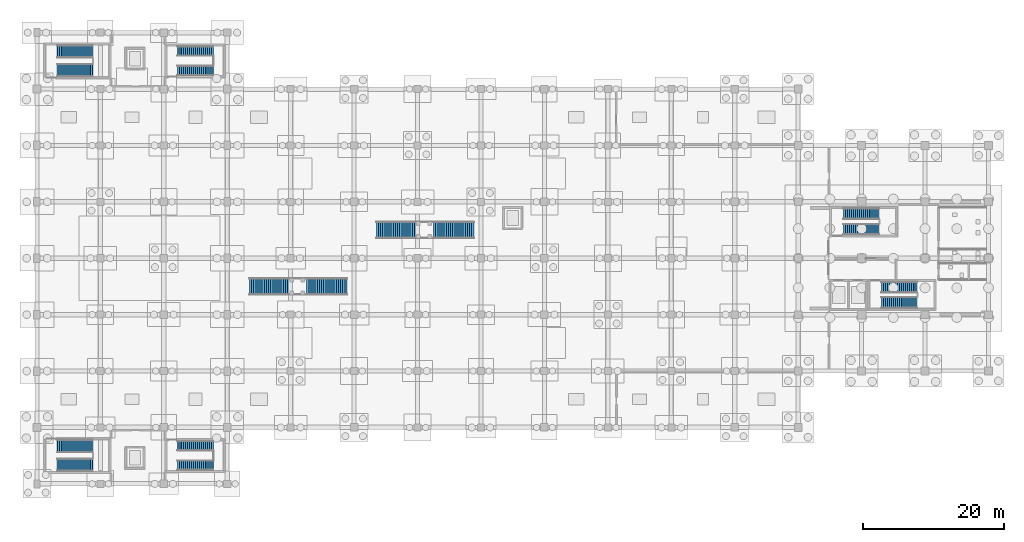
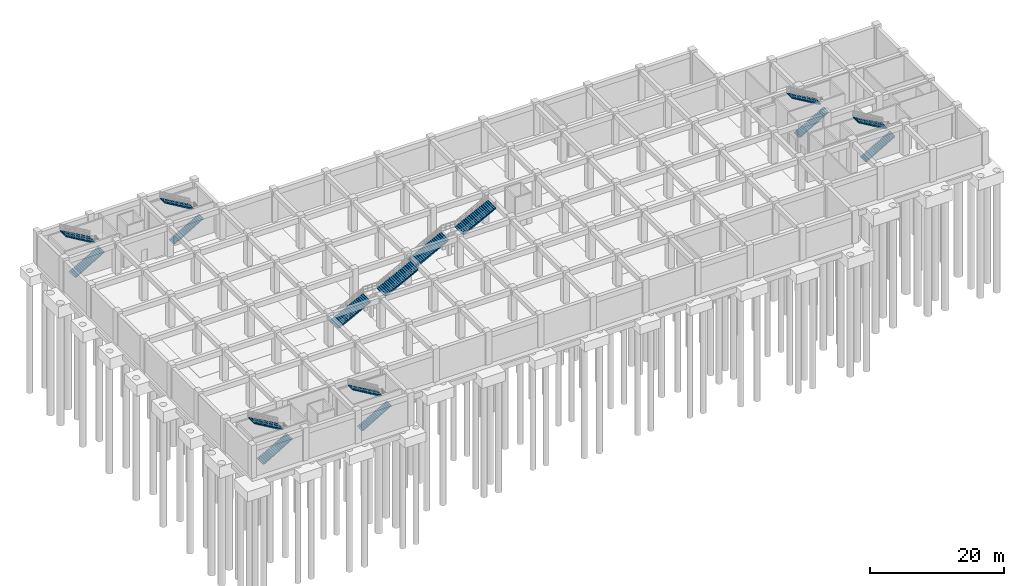
# One storey, part 14 of 18: 16 stair flights, 8 elements without a shape of their own.
"""IFC4 building model written with IfcOpenShell, lengths in metres."""

from ifc_helpers import new_model, si_unit, derived_unit, direction, frame, origin, place, context, subcontext, project, spatial, polyline, outline, extrude, material, type_object, element, aggregate, save


model = new_model("IFC4")

# Units and contexts
model_context = context("Model", 3, precision=1e-05, world=origin(), true_north=direction((0.0, 1.0)))
body_context = subcontext(model_context, "Body", "Model", "MODEL_VIEW")
ifc_project = project(units=[si_unit("LENGTHUNIT", "METRE"), si_unit("AREAUNIT", "SQUARE_METRE"), si_unit("VOLUMEUNIT", "CUBIC_METRE"), si_unit("PLANEANGLEUNIT", "RADIAN"), si_unit("MASSUNIT", "GRAM", prefix="KILO"), derived_unit("THERMALTRANSMITTANCEUNIT", [(si_unit("MASSUNIT", "GRAM", prefix="KILO"), 1), (si_unit("TIMEUNIT", "SECOND"), -3), (si_unit("THERMODYNAMICTEMPERATUREUNIT", "KELVIN"), -1)])], contexts=[model_context])

# Site, building, storey
site_placement = place(None, origin())
site = spatial("IfcSite", under=ifc_project, at=site_placement, CompositionType="ELEMENT")
building_placement = place(site_placement, origin())
building = spatial("IfcBuilding", under=site, at=building_placement, Name="Zhenchuan Archway Interchange", CompositionType="ELEMENT")
storey_placement = place(building_placement, frame((0.0, 0.0, -12.0)))
storey = spatial("IfcBuildingStorey", under=building, at=storey_placement, Name="B2", CompositionType="ELEMENT", Elevation=-12.0)

# Stair, stair flights
ifc_material = material(Name="Concrete C35", Category="concrete")
stair_type_1 = type_object("IfcStairType", Name="STR_HALF_1400", PredefinedType="HALF_TURN_STAIR", material=ifc_material)
stair_1_placement = place(storey_placement, origin())
stair_1 = element("IfcStair", 1, at=stair_1_placement, inside=storey, type_object=stair_type_1, Name="Stair ST-M3 (B2)", PredefinedType="HALF_TURN_STAIR")
stair_flight_type_1 = type_object("IfcStairFlightType", Name="SFL_1400_B", PredefinedType="STRAIGHT", material=ifc_material)
stair_flight_1_placement = place(storey_placement, frame((55.96435546875, 26.614990234375, 0.0), z_axis=(0.0, 0.0, 1.0), x_axis=(1.0, 0.0, 0.0)))
stair_flight_1 = element("IfcStairFlight", 2, at=stair_flight_1_placement, type_object=stair_flight_type_1, Name="Stair ST-M3 lower flight (B2)", NumberOfRisers=19, NumberOfTreads=18, PredefinedType="STRAIGHT", RiserHeight=0.157895, TreadLength=0.28, context=body_context, shape_type="SweptSolid", body=[
    extrude(outline(polyline([(0.0, 0.0), (0.0, 0.157958984375), (0.280029296875, 0.157958984375), (0.280029296875, 0.315673828125), (0.56005859375, 0.315673828125), (0.56005859375, 0.4736328125), (0.840087890625, 0.4736328125), (0.840087890625, 0.631591796875), (1.1201171875, 0.631591796875), (1.1201171875, 0.78955078125), (1.39990234375, 0.78955078125), (1.39990234375, 0.947265625), (1.679931640625, 0.947265625), (1.679931640625, 1.105224609375), (1.9599609375, 1.105224609375), (1.9599609375, 1.26318359375), (2.239990234375, 1.26318359375), (2.239990234375, 1.421142578125), (2.52001953125, 1.421142578125), (2.52001953125, 1.578857421875), (2.800048828125, 1.578857421875), (2.800048828125, 1.73681640625), (3.080078125, 1.73681640625), (3.080078125, 1.894775390625), (3.360107421875, 1.894775390625), (3.360107421875, 2.052734375), (3.639892578125, 2.052734375), (3.639892578125, 2.21044921875), (3.919921875, 2.21044921875), (3.919921875, 2.368408203125), (4.199951171875, 2.368408203125), (4.199951171875, 2.5263671875), (4.47998046875, 2.5263671875), (4.47998046875, 2.684326171875), (4.760009765625, 2.684326171875), (4.760009765625, 2.842041015625), (5.0400390625, 2.842041015625), (5.0400390625, 3.0), (5.061279296875, 3.0), (5.061279296875, 2.79345703125), (0.3662109375, 0.0), (0.0, 0.0)])), frame((0.0, 0.699951171875, 0.0), z_axis=(0.0, -1.0, 0.0), x_axis=(1.0, 0.0, 0.0)), (0.0, 0.0, 1.0), 1.39990234375),
])
stair_flight_2_placement = place(storey_placement, frame((61.025634765625, 29.385009765625, 3.0), z_axis=(0.0, 0.0, 1.0), x_axis=(-1.0, 0.0, 0.0)))
stair_flight_2 = element("IfcStairFlight", 3, at=stair_flight_2_placement, type_object=stair_flight_type_1, Name="Stair ST-M3 upper flight (B2)", NumberOfRisers=19, NumberOfTreads=18, PredefinedType="STRAIGHT", RiserHeight=0.157895, TreadLength=0.28, context=body_context, shape_type="SweptSolid", body=[
    extrude(outline(polyline([(0.0, 0.0), (0.0, 0.157958984375), (0.280029296875, 0.157958984375), (0.280029296875, 0.315673828125), (0.56005859375, 0.315673828125), (0.56005859375, 0.4736328125), (0.840087890625, 0.4736328125), (0.840087890625, 0.631591796875), (1.1201171875, 0.631591796875), (1.1201171875, 0.78955078125), (1.39990234375, 0.78955078125), (1.39990234375, 0.947265625), (1.679931640625, 0.947265625), (1.679931640625, 1.105224609375), (1.9599609375, 1.105224609375), (1.9599609375, 1.26318359375), (2.239990234375, 1.26318359375), (2.239990234375, 1.421142578125), (2.52001953125, 1.421142578125), (2.52001953125, 1.578857421875), (2.800048828125, 1.578857421875), (2.800048828125, 1.73681640625), (3.080078125, 1.73681640625), (3.080078125, 1.894775390625), (3.360107421875, 1.894775390625), (3.360107421875, 2.052734375), (3.639892578125, 2.052734375), (3.639892578125, 2.21044921875), (3.919921875, 2.21044921875), (3.919921875, 2.368408203125), (4.199951171875, 2.368408203125), (4.199951171875, 2.5263671875), (4.47998046875, 2.5263671875), (4.47998046875, 2.684326171875), (4.760009765625, 2.684326171875), (4.760009765625, 2.842041015625), (5.0400390625, 2.842041015625), (5.0400390625, 3.0), (5.061279296875, 3.0), (5.061279296875, 2.79345703125), (0.3662109375, 0.0), (0.0, 0.0)])), frame((0.0, 0.699951171875, 0.0), z_axis=(0.0, -1.0, 0.0), x_axis=(1.0, 0.0, 0.0)), (0.0, 0.0, 1.0), 1.39990234375),
])
aggregate(stair_1, [stair_flight_1, stair_flight_2])

stair_2_placement = place(storey_placement, origin())
stair_2 = element("IfcStair", 4, at=stair_2_placement, inside=storey, type_object=stair_type_1, Name="Stair ST-M4 (B2)", PredefinedType="HALF_TURN_STAIR")
stair_flight_3_placement = place(storey_placement, frame((55.96435546875, 82.614990234375, 0.0), z_axis=(0.0, 0.0, 1.0), x_axis=(1.0, 0.0, 0.0)))
stair_flight_3 = element("IfcStairFlight", 5, at=stair_flight_3_placement, type_object=stair_flight_type_1, Name="Stair ST-M4 lower flight (B2)", NumberOfRisers=19, NumberOfTreads=18, PredefinedType="STRAIGHT", RiserHeight=0.157895, TreadLength=0.28, context=body_context, shape_type="SweptSolid", body=[
    extrude(outline(polyline([(0.0, 0.0), (0.0, 0.157958984375), (0.280029296875, 0.157958984375), (0.280029296875, 0.315673828125), (0.56005859375, 0.315673828125), (0.56005859375, 0.4736328125), (0.840087890625, 0.4736328125), (0.840087890625, 0.631591796875), (1.1201171875, 0.631591796875), (1.1201171875, 0.78955078125), (1.39990234375, 0.78955078125), (1.39990234375, 0.947265625), (1.679931640625, 0.947265625), (1.679931640625, 1.105224609375), (1.9599609375, 1.105224609375), (1.9599609375, 1.26318359375), (2.239990234375, 1.26318359375), (2.239990234375, 1.421142578125), (2.52001953125, 1.421142578125), (2.52001953125, 1.578857421875), (2.800048828125, 1.578857421875), (2.800048828125, 1.73681640625), (3.080078125, 1.73681640625), (3.080078125, 1.894775390625), (3.360107421875, 1.894775390625), (3.360107421875, 2.052734375), (3.639892578125, 2.052734375), (3.639892578125, 2.21044921875), (3.919921875, 2.21044921875), (3.919921875, 2.368408203125), (4.199951171875, 2.368408203125), (4.199951171875, 2.5263671875), (4.47998046875, 2.5263671875), (4.47998046875, 2.684326171875), (4.760009765625, 2.684326171875), (4.760009765625, 2.842041015625), (5.0400390625, 2.842041015625), (5.0400390625, 3.0), (5.061279296875, 3.0), (5.061279296875, 2.79345703125), (0.3662109375, 0.0), (0.0, 0.0)])), frame((0.0, 0.699951171875, 0.0), z_axis=(0.0, -1.0, 0.0), x_axis=(1.0, 0.0, 0.0)), (0.0, 0.0, 1.0), 1.39990234375),
])
stair_flight_4_placement = place(storey_placement, frame((61.025634765625, 85.385009765625, 3.0), z_axis=(0.0, 0.0, 1.0), x_axis=(-1.0, 0.0, 0.0)))
stair_flight_4 = element("IfcStairFlight", 6, at=stair_flight_4_placement, type_object=stair_flight_type_1, Name="Stair ST-M4 upper flight (B2)", NumberOfRisers=19, NumberOfTreads=18, PredefinedType="STRAIGHT", RiserHeight=0.157895, TreadLength=0.28, context=body_context, shape_type="SweptSolid", body=[
    extrude(outline(polyline([(0.0, 0.0), (0.0, 0.157958984375), (0.280029296875, 0.157958984375), (0.280029296875, 0.315673828125), (0.56005859375, 0.315673828125), (0.56005859375, 0.4736328125), (0.840087890625, 0.4736328125), (0.840087890625, 0.631591796875), (1.1201171875, 0.631591796875), (1.1201171875, 0.78955078125), (1.39990234375, 0.78955078125), (1.39990234375, 0.947265625), (1.679931640625, 0.947265625), (1.679931640625, 1.105224609375), (1.9599609375, 1.105224609375), (1.9599609375, 1.26318359375), (2.239990234375, 1.26318359375), (2.239990234375, 1.421142578125), (2.52001953125, 1.421142578125), (2.52001953125, 1.578857421875), (2.800048828125, 1.578857421875), (2.800048828125, 1.73681640625), (3.080078125, 1.73681640625), (3.080078125, 1.894775390625), (3.360107421875, 1.894775390625), (3.360107421875, 2.052734375), (3.639892578125, 2.052734375), (3.639892578125, 2.21044921875), (3.919921875, 2.21044921875), (3.919921875, 2.368408203125), (4.199951171875, 2.368408203125), (4.199951171875, 2.5263671875), (4.47998046875, 2.5263671875), (4.47998046875, 2.684326171875), (4.760009765625, 2.684326171875), (4.760009765625, 2.842041015625), (5.0400390625, 2.842041015625), (5.0400390625, 3.0), (5.061279296875, 3.0), (5.061279296875, 2.79345703125), (0.3662109375, 0.0), (0.0, 0.0)])), frame((0.0, 0.699951171875, 0.0), z_axis=(0.0, -1.0, 0.0), x_axis=(1.0, 0.0, 0.0)), (0.0, 0.0, 1.0), 1.39990234375),
])
aggregate(stair_2, [stair_flight_3, stair_flight_4])

stair_type_2 = type_object("IfcStairType", Name="STR_HALF_1550", PredefinedType="HALF_TURN_STAIR", material=ifc_material)
stair_3_placement = place(storey_placement, origin())
stair_3 = element("IfcStair", 7, at=stair_3_placement, inside=storey, type_object=stair_type_2, Name="Stair ST-O1 (B2)", PredefinedType="HALF_TURN_STAIR")
stair_flight_type_2 = type_object("IfcStairFlightType", Name="SFL_1550_B", PredefinedType="STRAIGHT", material=ifc_material)
stair_flight_5_placement = place(storey_placement, frame((150.42431640625, 60.090087890625, 0.0), z_axis=(0.0, 0.0, 1.0), x_axis=(1.0, 0.0, 0.0)))
stair_flight_5 = element("IfcStairFlight", 8, at=stair_flight_5_placement, type_object=stair_flight_type_2, Name="Stair ST-O1 lower flight (B2)", NumberOfRisers=19, NumberOfTreads=18, PredefinedType="STRAIGHT", RiserHeight=0.157895, TreadLength=0.28, context=body_context, shape_type="SweptSolid", body=[
    extrude(outline(polyline([(0.0, 0.0), (0.0, 0.157958984375), (0.280029296875, 0.157958984375), (0.280029296875, 0.315673828125), (0.56005859375, 0.315673828125), (0.56005859375, 0.4736328125), (0.840087890625, 0.4736328125), (0.840087890625, 0.631591796875), (1.1201171875, 0.631591796875), (1.1201171875, 0.78955078125), (1.39990234375, 0.78955078125), (1.39990234375, 0.947265625), (1.679931640625, 0.947265625), (1.679931640625, 1.105224609375), (1.9599609375, 1.105224609375), (1.9599609375, 1.26318359375), (2.239990234375, 1.26318359375), (2.239990234375, 1.421142578125), (2.52001953125, 1.421142578125), (2.52001953125, 1.578857421875), (2.800048828125, 1.578857421875), (2.800048828125, 1.73681640625), (3.080078125, 1.73681640625), (3.080078125, 1.894775390625), (3.360107421875, 1.894775390625), (3.360107421875, 2.052734375), (3.639892578125, 2.052734375), (3.639892578125, 2.21044921875), (3.919921875, 2.21044921875), (3.919921875, 2.368408203125), (4.199951171875, 2.368408203125), (4.199951171875, 2.5263671875), (4.47998046875, 2.5263671875), (4.47998046875, 2.684326171875), (4.760009765625, 2.684326171875), (4.760009765625, 2.842041015625), (5.0400390625, 2.842041015625), (5.0400390625, 3.0), (5.061279296875, 3.0), (5.061279296875, 2.79345703125), (0.3662109375, 0.0), (0.0, 0.0)])), frame((0.0, 0.77490234375, 0.0), z_axis=(0.0, -1.0, 0.0), x_axis=(1.0, 0.0, 0.0)), (0.0, 0.0, 1.0), 1.550048828125),
])
stair_flight_6_placement = place(storey_placement, frame((155.485595703125, 62.31005859375, 3.0), z_axis=(0.0, 0.0, 1.0), x_axis=(-1.0, 0.0, 0.0)))
stair_flight_6 = element("IfcStairFlight", 9, at=stair_flight_6_placement, type_object=stair_flight_type_2, Name="Stair ST-O1 upper flight (B2)", NumberOfRisers=19, NumberOfTreads=18, PredefinedType="STRAIGHT", RiserHeight=0.157895, TreadLength=0.28, context=body_context, shape_type="SweptSolid", body=[
    extrude(outline(polyline([(0.0, 0.0), (0.0, 0.157958984375), (0.280029296875, 0.157958984375), (0.280029296875, 0.315673828125), (0.56005859375, 0.315673828125), (0.56005859375, 0.4736328125), (0.840087890625, 0.4736328125), (0.840087890625, 0.631591796875), (1.1201171875, 0.631591796875), (1.1201171875, 0.78955078125), (1.39990234375, 0.78955078125), (1.39990234375, 0.947265625), (1.679931640625, 0.947265625), (1.679931640625, 1.105224609375), (1.9599609375, 1.105224609375), (1.9599609375, 1.26318359375), (2.239990234375, 1.26318359375), (2.239990234375, 1.421142578125), (2.52001953125, 1.421142578125), (2.52001953125, 1.578857421875), (2.800048828125, 1.578857421875), (2.800048828125, 1.73681640625), (3.080078125, 1.73681640625), (3.080078125, 1.894775390625), (3.360107421875, 1.894775390625), (3.360107421875, 2.052734375), (3.639892578125, 2.052734375), (3.639892578125, 2.21044921875), (3.919921875, 2.21044921875), (3.919921875, 2.368408203125), (4.199951171875, 2.368408203125), (4.199951171875, 2.5263671875), (4.47998046875, 2.5263671875), (4.47998046875, 2.684326171875), (4.760009765625, 2.684326171875), (4.760009765625, 2.842041015625), (5.0400390625, 2.842041015625), (5.0400390625, 3.0), (5.061279296875, 3.0), (5.061279296875, 2.79345703125), (0.3662109375, 0.0), (0.0, 0.0)])), frame((0.0, 0.77490234375, 0.0), z_axis=(0.0, -1.0, 0.0), x_axis=(1.0, 0.0, 0.0)), (0.0, 0.0, 1.0), 1.550048828125),
])
aggregate(stair_3, [stair_flight_5, stair_flight_6])

stair_type_3 = type_object("IfcStairType", Name="STR_HALF_1600", PredefinedType="HALF_TURN_STAIR", material=ifc_material)
stair_4_placement = place(storey_placement, origin())
stair_4 = element("IfcStair", 10, at=stair_4_placement, inside=storey, type_object=stair_type_3, Name="Stair ST-O2 (B2)", PredefinedType="HALF_TURN_STAIR")
stair_flight_type_3 = type_object("IfcStairFlightType", Name="SFL_1600_B", PredefinedType="STRAIGHT", material=ifc_material)
stair_flight_7_placement = place(storey_placement, frame((155.824462890625, 49.715087890625, 0.0), z_axis=(0.0, 0.0, 1.0), x_axis=(1.0, 0.0, 0.0)))
stair_flight_7 = element("IfcStairFlight", 11, at=stair_flight_7_placement, type_object=stair_flight_type_3, Name="Stair ST-O2 lower flight (B2)", NumberOfRisers=19, NumberOfTreads=18, PredefinedType="STRAIGHT", RiserHeight=0.157895, TreadLength=0.28, context=body_context, shape_type="SweptSolid", body=[
    extrude(outline(polyline([(0.0, 0.0), (0.0, 0.157958984375), (0.280029296875, 0.157958984375), (0.280029296875, 0.315673828125), (0.56005859375, 0.315673828125), (0.56005859375, 0.4736328125), (0.840087890625, 0.4736328125), (0.840087890625, 0.631591796875), (1.1201171875, 0.631591796875), (1.1201171875, 0.78955078125), (1.39990234375, 0.78955078125), (1.39990234375, 0.947265625), (1.679931640625, 0.947265625), (1.679931640625, 1.105224609375), (1.9599609375, 1.105224609375), (1.9599609375, 1.26318359375), (2.239990234375, 1.26318359375), (2.239990234375, 1.421142578125), (2.52001953125, 1.421142578125), (2.52001953125, 1.578857421875), (2.800048828125, 1.578857421875), (2.800048828125, 1.73681640625), (3.080078125, 1.73681640625), (3.080078125, 1.894775390625), (3.360107421875, 1.894775390625), (3.360107421875, 2.052734375), (3.639892578125, 2.052734375), (3.639892578125, 2.21044921875), (3.919921875, 2.21044921875), (3.919921875, 2.368408203125), (4.199951171875, 2.368408203125), (4.199951171875, 2.5263671875), (4.47998046875, 2.5263671875), (4.47998046875, 2.684326171875), (4.760009765625, 2.684326171875), (4.760009765625, 2.842041015625), (5.0400390625, 2.842041015625), (5.0400390625, 3.0), (5.061279296875, 3.0), (5.061279296875, 2.79345703125), (0.3662109375, 0.0), (0.0, 0.0)])), frame((0.0, 0.800048828125, 0.0), z_axis=(0.0, -1.0, 0.0), x_axis=(1.0, 0.0, 0.0)), (0.0, 0.0, 1.0), 1.60009765625),
])
stair_flight_8_placement = place(storey_placement, frame((160.885498046875, 51.885009765625, 3.0), z_axis=(0.0, 0.0, 1.0), x_axis=(-1.0, 0.0, 0.0)))
stair_flight_8 = element("IfcStairFlight", 12, at=stair_flight_8_placement, type_object=stair_flight_type_3, Name="Stair ST-O2 upper flight (B2)", NumberOfRisers=19, NumberOfTreads=18, PredefinedType="STRAIGHT", RiserHeight=0.157895, TreadLength=0.28, context=body_context, shape_type="SweptSolid", body=[
    extrude(outline(polyline([(0.0, 0.0), (0.0, 0.157958984375), (0.280029296875, 0.157958984375), (0.280029296875, 0.315673828125), (0.56005859375, 0.315673828125), (0.56005859375, 0.4736328125), (0.840087890625, 0.4736328125), (0.840087890625, 0.631591796875), (1.1201171875, 0.631591796875), (1.1201171875, 0.78955078125), (1.39990234375, 0.78955078125), (1.39990234375, 0.947265625), (1.679931640625, 0.947265625), (1.679931640625, 1.105224609375), (1.9599609375, 1.105224609375), (1.9599609375, 1.26318359375), (2.239990234375, 1.26318359375), (2.239990234375, 1.421142578125), (2.52001953125, 1.421142578125), (2.52001953125, 1.578857421875), (2.800048828125, 1.578857421875), (2.800048828125, 1.73681640625), (3.080078125, 1.73681640625), (3.080078125, 1.894775390625), (3.360107421875, 1.894775390625), (3.360107421875, 2.052734375), (3.639892578125, 2.052734375), (3.639892578125, 2.21044921875), (3.919921875, 2.21044921875), (3.919921875, 2.368408203125), (4.199951171875, 2.368408203125), (4.199951171875, 2.5263671875), (4.47998046875, 2.5263671875), (4.47998046875, 2.684326171875), (4.760009765625, 2.684326171875), (4.760009765625, 2.842041015625), (5.0400390625, 2.842041015625), (5.0400390625, 3.0), (5.061279296875, 3.0), (5.061279296875, 2.79345703125), (0.3662109375, 0.0), (0.0, 0.0)])), frame((0.0, 0.800048828125, 0.0), z_axis=(0.0, -1.0, 0.0), x_axis=(1.0, 0.0, 0.0)), (0.0, 0.0, 1.0), 1.60009765625),
])
aggregate(stair_4, [stair_flight_7, stair_flight_8])

stair_type_4 = type_object("IfcStairType", Name="STR_HALF_1800", PredefinedType="HALF_TURN_STAIR", material=ifc_material)
stair_5_placement = place(storey_placement, origin())
stair_5 = element("IfcStair", 13, at=stair_5_placement, inside=storey, type_object=stair_type_4, Name="Stair ST-M1 (B2)", PredefinedType="HALF_TURN_STAIR")
stair_flight_type_4 = type_object("IfcStairFlightType", Name="SFL_1800_B", PredefinedType="STRAIGHT", material=ifc_material)
stair_flight_9_placement = place(storey_placement, frame((38.87451171875, 26.6650390625, 0.0), z_axis=(0.0, 0.0, 1.0), x_axis=(1.0, 0.0, 0.0)))
stair_flight_9 = element("IfcStairFlight", 14, at=stair_flight_9_placement, type_object=stair_flight_type_4, Name="Stair ST-M1 lower flight (B2)", NumberOfRisers=19, NumberOfTreads=18, PredefinedType="STRAIGHT", RiserHeight=0.157895, TreadLength=0.28, context=body_context, shape_type="SweptSolid", body=[
    extrude(outline(polyline([(0.0, 0.0), (0.0, 0.157958984375), (0.280029296875, 0.157958984375), (0.280029296875, 0.315673828125), (0.56005859375, 0.315673828125), (0.56005859375, 0.4736328125), (0.840087890625, 0.4736328125), (0.840087890625, 0.631591796875), (1.1201171875, 0.631591796875), (1.1201171875, 0.78955078125), (1.39990234375, 0.78955078125), (1.39990234375, 0.947265625), (1.679931640625, 0.947265625), (1.679931640625, 1.105224609375), (1.9599609375, 1.105224609375), (1.9599609375, 1.26318359375), (2.239990234375, 1.26318359375), (2.239990234375, 1.421142578125), (2.52001953125, 1.421142578125), (2.52001953125, 1.578857421875), (2.800048828125, 1.578857421875), (2.800048828125, 1.73681640625), (3.080078125, 1.73681640625), (3.080078125, 1.894775390625), (3.360107421875, 1.894775390625), (3.360107421875, 2.052734375), (3.639892578125, 2.052734375), (3.639892578125, 2.21044921875), (3.919921875, 2.21044921875), (3.919921875, 2.368408203125), (4.199951171875, 2.368408203125), (4.199951171875, 2.5263671875), (4.47998046875, 2.5263671875), (4.47998046875, 2.684326171875), (4.760009765625, 2.684326171875), (4.760009765625, 2.842041015625), (5.0400390625, 2.842041015625), (5.0400390625, 3.0), (5.061279296875, 3.0), (5.061279296875, 2.79345703125), (0.3662109375, 0.0), (0.0, 0.0)])), frame((0.0, 0.89990234375, 0.0), z_axis=(0.0, -1.0, 0.0), x_axis=(1.0, 0.0, 0.0)), (0.0, 0.0, 1.0), 1.800048828125),
])
stair_flight_10_placement = place(storey_placement, frame((43.935546875, 29.3349609375, 3.0), z_axis=(0.0, 0.0, 1.0), x_axis=(-1.0, 0.0, 0.0)))
stair_flight_10 = element("IfcStairFlight", 15, at=stair_flight_10_placement, type_object=stair_flight_type_4, Name="Stair ST-M1 upper flight (B2)", NumberOfRisers=19, NumberOfTreads=18, PredefinedType="STRAIGHT", RiserHeight=0.157895, TreadLength=0.28, context=body_context, shape_type="SweptSolid", body=[
    extrude(outline(polyline([(0.0, 0.0), (0.0, 0.157958984375), (0.280029296875, 0.157958984375), (0.280029296875, 0.315673828125), (0.56005859375, 0.315673828125), (0.56005859375, 0.4736328125), (0.840087890625, 0.4736328125), (0.840087890625, 0.631591796875), (1.1201171875, 0.631591796875), (1.1201171875, 0.78955078125), (1.39990234375, 0.78955078125), (1.39990234375, 0.947265625), (1.679931640625, 0.947265625), (1.679931640625, 1.105224609375), (1.9599609375, 1.105224609375), (1.9599609375, 1.26318359375), (2.239990234375, 1.26318359375), (2.239990234375, 1.421142578125), (2.52001953125, 1.421142578125), (2.52001953125, 1.578857421875), (2.800048828125, 1.578857421875), (2.800048828125, 1.73681640625), (3.080078125, 1.73681640625), (3.080078125, 1.894775390625), (3.360107421875, 1.894775390625), (3.360107421875, 2.052734375), (3.639892578125, 2.052734375), (3.639892578125, 2.21044921875), (3.919921875, 2.21044921875), (3.919921875, 2.368408203125), (4.199951171875, 2.368408203125), (4.199951171875, 2.5263671875), (4.47998046875, 2.5263671875), (4.47998046875, 2.684326171875), (4.760009765625, 2.684326171875), (4.760009765625, 2.842041015625), (5.0400390625, 2.842041015625), (5.0400390625, 3.0), (5.061279296875, 3.0), (5.061279296875, 2.79345703125), (0.3662109375, 0.0), (0.0, 0.0)])), frame((0.0, 0.89990234375, 0.0), z_axis=(0.0, -1.0, 0.0), x_axis=(1.0, 0.0, 0.0)), (0.0, 0.0, 1.0), 1.800048828125),
])
aggregate(stair_5, [stair_flight_9, stair_flight_10])

stair_6_placement = place(storey_placement, origin())
stair_6 = element("IfcStair", 16, at=stair_6_placement, inside=storey, type_object=stair_type_4, Name="Stair ST-M2 (B2)", PredefinedType="HALF_TURN_STAIR")
stair_flight_11_placement = place(storey_placement, frame((38.87451171875, 82.6650390625, 0.0), z_axis=(0.0, 0.0, 1.0), x_axis=(1.0, 0.0, 0.0)))
stair_flight_11 = element("IfcStairFlight", 17, at=stair_flight_11_placement, type_object=stair_flight_type_4, Name="Stair ST-M2 lower flight (B2)", NumberOfRisers=19, NumberOfTreads=18, PredefinedType="STRAIGHT", RiserHeight=0.157895, TreadLength=0.28, context=body_context, shape_type="SweptSolid", body=[
    extrude(outline(polyline([(0.0, 0.0), (0.0, 0.157958984375), (0.280029296875, 0.157958984375), (0.280029296875, 0.315673828125), (0.56005859375, 0.315673828125), (0.56005859375, 0.4736328125), (0.840087890625, 0.4736328125), (0.840087890625, 0.631591796875), (1.1201171875, 0.631591796875), (1.1201171875, 0.78955078125), (1.39990234375, 0.78955078125), (1.39990234375, 0.947265625), (1.679931640625, 0.947265625), (1.679931640625, 1.105224609375), (1.9599609375, 1.105224609375), (1.9599609375, 1.26318359375), (2.239990234375, 1.26318359375), (2.239990234375, 1.421142578125), (2.52001953125, 1.421142578125), (2.52001953125, 1.578857421875), (2.800048828125, 1.578857421875), (2.800048828125, 1.73681640625), (3.080078125, 1.73681640625), (3.080078125, 1.894775390625), (3.360107421875, 1.894775390625), (3.360107421875, 2.052734375), (3.639892578125, 2.052734375), (3.639892578125, 2.21044921875), (3.919921875, 2.21044921875), (3.919921875, 2.368408203125), (4.199951171875, 2.368408203125), (4.199951171875, 2.5263671875), (4.47998046875, 2.5263671875), (4.47998046875, 2.684326171875), (4.760009765625, 2.684326171875), (4.760009765625, 2.842041015625), (5.0400390625, 2.842041015625), (5.0400390625, 3.0), (5.061279296875, 3.0), (5.061279296875, 2.79345703125), (0.3662109375, 0.0), (0.0, 0.0)])), frame((0.0, 0.89990234375, 0.0), z_axis=(0.0, -1.0, 0.0), x_axis=(1.0, 0.0, 0.0)), (0.0, 0.0, 1.0), 1.800048828125),
])
stair_flight_12_placement = place(storey_placement, frame((43.935546875, 85.3349609375, 3.0), z_axis=(0.0, 0.0, 1.0), x_axis=(-1.0, 0.0, 0.0)))
stair_flight_12 = element("IfcStairFlight", 18, at=stair_flight_12_placement, type_object=stair_flight_type_4, Name="Stair ST-M2 upper flight (B2)", NumberOfRisers=19, NumberOfTreads=18, PredefinedType="STRAIGHT", RiserHeight=0.157895, TreadLength=0.28, context=body_context, shape_type="SweptSolid", body=[
    extrude(outline(polyline([(0.0, 0.0), (0.0, 0.157958984375), (0.280029296875, 0.157958984375), (0.280029296875, 0.315673828125), (0.56005859375, 0.315673828125), (0.56005859375, 0.4736328125), (0.840087890625, 0.4736328125), (0.840087890625, 0.631591796875), (1.1201171875, 0.631591796875), (1.1201171875, 0.78955078125), (1.39990234375, 0.78955078125), (1.39990234375, 0.947265625), (1.679931640625, 0.947265625), (1.679931640625, 1.105224609375), (1.9599609375, 1.105224609375), (1.9599609375, 1.26318359375), (2.239990234375, 1.26318359375), (2.239990234375, 1.421142578125), (2.52001953125, 1.421142578125), (2.52001953125, 1.578857421875), (2.800048828125, 1.578857421875), (2.800048828125, 1.73681640625), (3.080078125, 1.73681640625), (3.080078125, 1.894775390625), (3.360107421875, 1.894775390625), (3.360107421875, 2.052734375), (3.639892578125, 2.052734375), (3.639892578125, 2.21044921875), (3.919921875, 2.21044921875), (3.919921875, 2.368408203125), (4.199951171875, 2.368408203125), (4.199951171875, 2.5263671875), (4.47998046875, 2.5263671875), (4.47998046875, 2.684326171875), (4.760009765625, 2.684326171875), (4.760009765625, 2.842041015625), (5.0400390625, 2.842041015625), (5.0400390625, 3.0), (5.061279296875, 3.0), (5.061279296875, 2.79345703125), (0.3662109375, 0.0), (0.0, 0.0)])), frame((0.0, 0.89990234375, 0.0), z_axis=(0.0, -1.0, 0.0), x_axis=(1.0, 0.0, 0.0)), (0.0, 0.0, 1.0), 1.800048828125),
])
aggregate(stair_6, [stair_flight_11, stair_flight_12])

stair_type_5 = type_object("IfcStairType", Name="STR_MON_2350", PredefinedType="STRAIGHT_RUN_STAIR", material=ifc_material)
stair_7_placement = place(storey_placement, origin())
stair_7 = element("IfcStair", 19, at=stair_7_placement, inside=storey, type_object=stair_type_5, Name="Monumental public stair ST-P2", PredefinedType="STRAIGHT_RUN_STAIR")
stair_flight_type_5 = type_object("IfcStairFlightType", Name="SFL_MON_2350", PredefinedType="STRAIGHT", material=ifc_material)
stair_flight_13_placement = place(storey_placement, frame((84.159912109375, 60.0, 0.0), z_axis=(0.0, 0.0, 1.0), x_axis=(1.0, 0.0, 0.0)))
stair_flight_13 = element("IfcStairFlight", 20, at=stair_flight_13_placement, type_object=stair_flight_type_5, Name="Monumental stair ST-P2 lower flight", NumberOfRisers=20, NumberOfTreads=19, PredefinedType="STRAIGHT", RiserHeight=0.15, TreadLength=0.3, context=body_context, shape_type="SweptSolid", body=[
    extrude(outline(polyline([(0.0, 0.0), (0.0, 0.14990234375), (0.300048828125, 0.14990234375), (0.300048828125, 0.300048828125), (0.60009765625, 0.300048828125), (0.60009765625, 0.449951171875), (0.89990234375, 0.449951171875), (0.89990234375, 0.60009765625), (1.199951171875, 0.60009765625), (1.199951171875, 0.75), (1.5, 0.75), (1.5, 0.89990234375), (1.800048828125, 0.89990234375), (1.800048828125, 1.050048828125), (2.10009765625, 1.050048828125), (2.10009765625, 1.199951171875), (2.39990234375, 1.199951171875), (2.39990234375, 1.35009765625), (2.699951171875, 1.35009765625), (2.699951171875, 1.5), (3.0, 1.5), (3.0, 1.64990234375), (3.300048828125, 1.64990234375), (3.300048828125, 1.800048828125), (3.60009765625, 1.800048828125), (3.60009765625, 1.949951171875), (3.89990234375, 1.949951171875), (3.89990234375, 2.10009765625), (4.199951171875, 2.10009765625), (4.199951171875, 2.25), (4.5, 2.25), (4.5, 2.39990234375), (4.800048828125, 2.39990234375), (4.800048828125, 2.550048828125), (5.10009765625, 2.550048828125), (5.10009765625, 2.699951171875), (5.39990234375, 2.699951171875), (5.39990234375, 2.85009765625), (5.699951171875, 2.85009765625), (5.699951171875, 3.0), (5.72119140625, 3.0), (5.72119140625, 2.754150390625), (0.491943359375, 0.0), (0.0, 0.0)])), frame((0.0, 1.175048828125, 0.0), z_axis=(0.0, -1.0, 0.0), x_axis=(1.0, 0.0, 0.0)), (0.0, 0.0, 1.0), 2.35009765625),
])
stair_flight_14_placement = place(storey_placement, frame((92.279296875, 60.0, 3.0), z_axis=(0.0, 0.0, 1.0), x_axis=(1.0, 0.0, 0.0)))
stair_flight_14 = element("IfcStairFlight", 21, at=stair_flight_14_placement, type_object=stair_flight_type_5, Name="Monumental stair ST-P2 upper flight", NumberOfRisers=20, NumberOfTreads=19, PredefinedType="STRAIGHT", RiserHeight=0.15, TreadLength=0.3, context=body_context, shape_type="SweptSolid", body=[
    extrude(outline(polyline([(0.0, 0.0), (0.0, 0.14990234375), (0.300048828125, 0.14990234375), (0.300048828125, 0.300048828125), (0.60009765625, 0.300048828125), (0.60009765625, 0.449951171875), (0.89990234375, 0.449951171875), (0.89990234375, 0.60009765625), (1.199951171875, 0.60009765625), (1.199951171875, 0.75), (1.5, 0.75), (1.5, 0.89990234375), (1.800048828125, 0.89990234375), (1.800048828125, 1.050048828125), (2.10009765625, 1.050048828125), (2.10009765625, 1.199951171875), (2.39990234375, 1.199951171875), (2.39990234375, 1.35009765625), (2.699951171875, 1.35009765625), (2.699951171875, 1.5), (3.0, 1.5), (3.0, 1.64990234375), (3.300048828125, 1.64990234375), (3.300048828125, 1.800048828125), (3.60009765625, 1.800048828125), (3.60009765625, 1.949951171875), (3.89990234375, 1.949951171875), (3.89990234375, 2.10009765625), (4.199951171875, 2.10009765625), (4.199951171875, 2.25), (4.5, 2.25), (4.5, 2.39990234375), (4.800048828125, 2.39990234375), (4.800048828125, 2.550048828125), (5.10009765625, 2.550048828125), (5.10009765625, 2.699951171875), (5.39990234375, 2.699951171875), (5.39990234375, 2.85009765625), (5.699951171875, 2.85009765625), (5.699951171875, 3.0), (5.72119140625, 3.0), (5.72119140625, 2.754150390625), (0.491943359375, 0.0), (0.0, 0.0)])), frame((0.0, 1.175048828125, 0.0), z_axis=(0.0, -1.0, 0.0), x_axis=(1.0, 0.0, 0.0)), (0.0, 0.0, 1.0), 2.35009765625),
])
aggregate(stair_7, [stair_flight_13, stair_flight_14])

stair_type_6 = type_object("IfcStairType", Name="STR_MON_2400", PredefinedType="STRAIGHT_RUN_STAIR", material=ifc_material)
stair_8_placement = place(storey_placement, origin())
stair_8 = element("IfcStair", 22, at=stair_8_placement, inside=storey, type_object=stair_type_6, Name="Monumental public stair ST-P1", PredefinedType="STRAIGHT_RUN_STAIR")
stair_flight_type_6 = type_object("IfcStairFlightType", Name="SFL_MON_2400", PredefinedType="STRAIGHT", material=ifc_material)
stair_flight_15_placement = place(storey_placement, frame((66.159912109375, 52.0, 0.0), z_axis=(0.0, 0.0, 1.0), x_axis=(1.0, 0.0, 0.0)))
stair_flight_15 = element("IfcStairFlight", 23, at=stair_flight_15_placement, type_object=stair_flight_type_6, Name="Monumental stair ST-P1 lower flight", NumberOfRisers=20, NumberOfTreads=19, PredefinedType="STRAIGHT", RiserHeight=0.15, TreadLength=0.3, context=body_context, shape_type="SweptSolid", body=[
    extrude(outline(polyline([(0.0, 0.0), (0.0, 0.14990234375), (0.300048828125, 0.14990234375), (0.300048828125, 0.300048828125), (0.60009765625, 0.300048828125), (0.60009765625, 0.449951171875), (0.89990234375, 0.449951171875), (0.89990234375, 0.60009765625), (1.199951171875, 0.60009765625), (1.199951171875, 0.75), (1.5, 0.75), (1.5, 0.89990234375), (1.800048828125, 0.89990234375), (1.800048828125, 1.050048828125), (2.10009765625, 1.050048828125), (2.10009765625, 1.199951171875), (2.39990234375, 1.199951171875), (2.39990234375, 1.35009765625), (2.699951171875, 1.35009765625), (2.699951171875, 1.5), (3.0, 1.5), (3.0, 1.64990234375), (3.300048828125, 1.64990234375), (3.300048828125, 1.800048828125), (3.60009765625, 1.800048828125), (3.60009765625, 1.949951171875), (3.89990234375, 1.949951171875), (3.89990234375, 2.10009765625), (4.199951171875, 2.10009765625), (4.199951171875, 2.25), (4.5, 2.25), (4.5, 2.39990234375), (4.800048828125, 2.39990234375), (4.800048828125, 2.550048828125), (5.10009765625, 2.550048828125), (5.10009765625, 2.699951171875), (5.39990234375, 2.699951171875), (5.39990234375, 2.85009765625), (5.699951171875, 2.85009765625), (5.699951171875, 3.0), (5.72119140625, 3.0), (5.72119140625, 2.754150390625), (0.491943359375, 0.0), (0.0, 0.0)])), frame((0.0, 1.199951171875, 0.0), z_axis=(0.0, -1.0, 0.0), x_axis=(1.0, 0.0, 0.0)), (0.0, 0.0, 1.0), 2.39990234375),
])
stair_flight_16_placement = place(storey_placement, frame((74.279296875, 52.0, 3.0), z_axis=(0.0, 0.0, 1.0), x_axis=(1.0, 0.0, 0.0)))
stair_flight_16 = element("IfcStairFlight", 24, at=stair_flight_16_placement, type_object=stair_flight_type_6, Name="Monumental stair ST-P1 upper flight", NumberOfRisers=20, NumberOfTreads=19, PredefinedType="STRAIGHT", RiserHeight=0.15, TreadLength=0.3, context=body_context, shape_type="SweptSolid", body=[
    extrude(outline(polyline([(0.0, 0.0), (0.0, 0.14990234375), (0.300048828125, 0.14990234375), (0.300048828125, 0.300048828125), (0.60009765625, 0.300048828125), (0.60009765625, 0.449951171875), (0.89990234375, 0.449951171875), (0.89990234375, 0.60009765625), (1.199951171875, 0.60009765625), (1.199951171875, 0.75), (1.5, 0.75), (1.5, 0.89990234375), (1.800048828125, 0.89990234375), (1.800048828125, 1.050048828125), (2.10009765625, 1.050048828125), (2.10009765625, 1.199951171875), (2.39990234375, 1.199951171875), (2.39990234375, 1.35009765625), (2.699951171875, 1.35009765625), (2.699951171875, 1.5), (3.0, 1.5), (3.0, 1.64990234375), (3.300048828125, 1.64990234375), (3.300048828125, 1.800048828125), (3.60009765625, 1.800048828125), (3.60009765625, 1.949951171875), (3.89990234375, 1.949951171875), (3.89990234375, 2.10009765625), (4.199951171875, 2.10009765625), (4.199951171875, 2.25), (4.5, 2.25), (4.5, 2.39990234375), (4.800048828125, 2.39990234375), (4.800048828125, 2.550048828125), (5.10009765625, 2.550048828125), (5.10009765625, 2.699951171875), (5.39990234375, 2.699951171875), (5.39990234375, 2.85009765625), (5.699951171875, 2.85009765625), (5.699951171875, 3.0), (5.72119140625, 3.0), (5.72119140625, 2.754150390625), (0.491943359375, 0.0), (0.0, 0.0)])), frame((0.0, 1.199951171875, 0.0), z_axis=(0.0, -1.0, 0.0), x_axis=(1.0, 0.0, 0.0)), (0.0, 0.0, 1.0), 2.39990234375),
])
aggregate(stair_8, [stair_flight_15, stair_flight_16])

save(model, "model.ifc")
